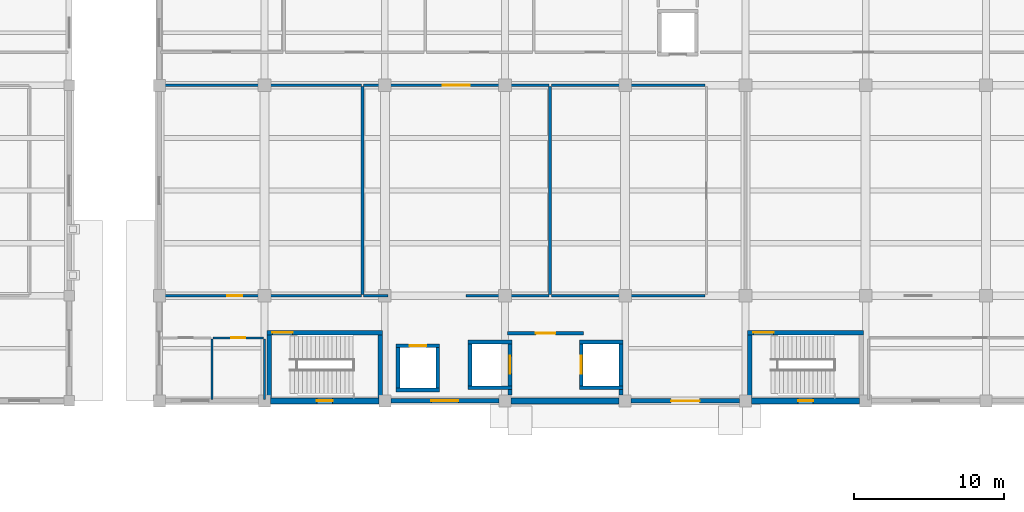
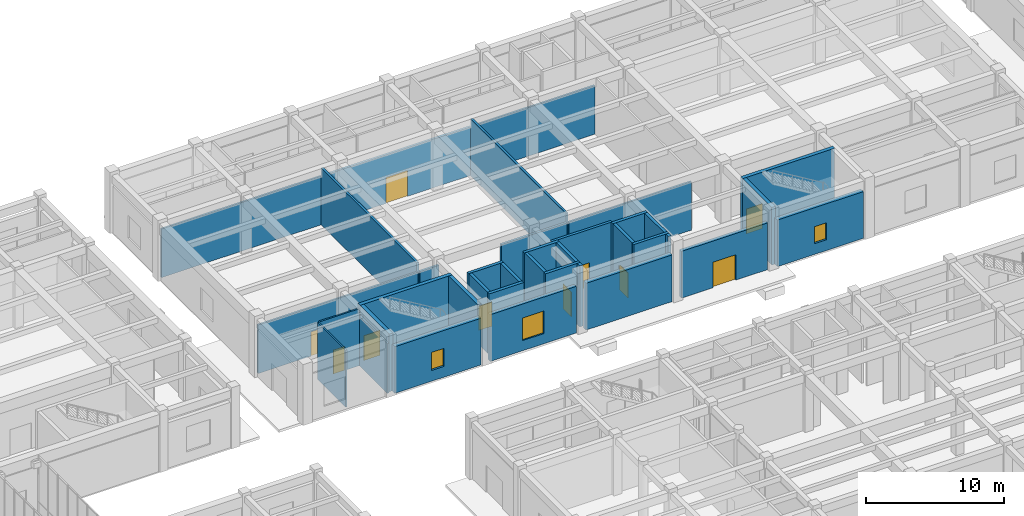
# One storey, part 23 of 40: 35 walls, 10 doors, 3 windows, 13 openings.
"""IFC4 building model written with IfcOpenShell, lengths in metres."""

from ifc_helpers import new_model, si_unit, direction, frame, frame_2d, origin, place, context, subcontext, project, spatial, rectangle, extrude, material, layer, layer_set, type_object, element, fill, save


model = new_model("IFC4")

# Units and contexts
model_context = context("Model", 3, precision=1e-05, world=origin(), true_north=direction((0.0, 1.0)))
body_context = subcontext(model_context, "Body", "Model", "MODEL_VIEW")
ifc_project = project(units=[si_unit("LENGTHUNIT", "METRE"), si_unit("AREAUNIT", "SQUARE_METRE"), si_unit("VOLUMEUNIT", "CUBIC_METRE"), si_unit("PLANEANGLEUNIT", "RADIAN"), si_unit("MASSUNIT", "GRAM", prefix="KILO")], contexts=[model_context])

# Site, building, storey
site_placement = place(None, origin())
site = spatial("IfcSite", under=ifc_project, at=site_placement, CompositionType="ELEMENT")
building_placement = place(site_placement, origin())
building = spatial("IfcBuilding", under=site, at=building_placement, Name="Naurynzar Civic Courthouse", CompositionType="ELEMENT")
storey_placement = place(building_placement, origin())
storey = spatial("IfcBuildingStorey", under=building, at=storey_placement, Name="L01", CompositionType="ELEMENT", Elevation=0.0)

# Walls
ifc_material_1 = material(Name="Acoustic Double-Stud Gypsum Partition")
ifc_layer_1 = layer(ifc_material_1, 0.18505859375)
ifc_layer_set_1 = layer_set([ifc_layer_1], Name="WL-ACOUSTIC-185")
wall_type_1 = type_object("IfcWallType", Name="WL-ACOUSTIC-185", PredefinedType="PARTITIONING", material=ifc_layer_set_1)
wall_1_placement = place(storey_placement, frame((75.60009765625, 51.0, 0.0), z_axis=(0.0, 0.0, 1.0), x_axis=(1.0, 0.0, 0.0)))
element("IfcWall", 1, at=wall_1_placement, inside=storey, type_object=wall_type_1, Name="V2 interior partition L01.108", PredefinedType="PARTITIONING", context=body_context, shape_type="SweptSolid", body=[
    extrude(rectangle(XDim=1.599853515625, YDim=0.18505859375, at=frame_2d((0.7998046875, 0.0))), origin(), (0.0, 0.0, 1.0), 4.300048828125),
])
wall_2_placement = place(storey_placement, frame((82.39990234375, 51.0, 0.0), z_axis=(0.0, 0.0, 1.0), x_axis=(1.0, 0.0, 0.0)))
element("IfcWall", 2, at=wall_2_placement, inside=storey, type_object=wall_type_1, Name="V2 interior partition L01.109", PredefinedType="PARTITIONING", context=body_context, shape_type="SweptSolid", body=[
    extrude(rectangle(XDim=5.52001953125, YDim=0.18505859375, at=frame_2d((2.760009765625, 0.0))), origin(), (0.0, 0.0, 1.0), 4.300048828125),
])

# Wall, opening, door
wall_3_placement = place(storey_placement, frame((75.60009765625, 65.0, 0.0), z_axis=(0.0, 0.0, 1.0), x_axis=(1.0, 0.0, 0.0)))
wall_3 = element("IfcWall", 3, at=wall_3_placement, inside=storey, type_object=wall_type_1, Name="V2 interior partition L01.117", PredefinedType="PARTITIONING", context=body_context, shape_type="SweptSolid", body=[
    extrude(rectangle(XDim=12.31982421875, YDim=0.18505859375, at=frame_2d((6.159912109375, 0.0))), origin(), (0.0, 0.0, 1.0), 4.300048828125),
])
opening_1_placement = place(wall_3_placement, frame((5.260009765625, 0.0, 0.0)))
opening_1 = element("IfcOpeningElement", 4, at=opening_1_placement, cuts=wall_3, Name="Opening D-105", PredefinedType="OPENING", context=body_context, shape_type="SweptSolid", body=[
    extrude(rectangle(XDim=1.800048828125, YDim=2.300048828125, at=frame_2d((0.89990234375, 1.14990234375))), frame((0.0, 0.1025390625, 0.0), z_axis=(0.0, -1.0, 0.0), x_axis=(1.0, 0.0, 0.0)), (0.0, 0.0, 1.0), 0.205078125),
])
ifc_material_2 = material(Name="Acoustic Oak Timber Grade A", Category="wood")
door_type_1 = type_object("IfcDoorType", Name="DR-COURT-DBL-1800x2300", OperationType="DOUBLE_DOOR_SINGLE_SWING", PredefinedType="DOOR", material=ifc_material_2)
door_1_placement = place(opening_1_placement, origin())
door_1 = element("IfcDoor", 5, at=door_1_placement, inside=storey, type_object=door_type_1, Name="Interior door D-105 (Civil Intake Courtroom)", OperationType="DOUBLE_DOOR_SINGLE_SWING", OverallHeight=2.300048828125, OverallWidth=1.800048828125, PredefinedType="DOOR", context=body_context, shape_type="SweptSolid", body=[
    extrude(rectangle(XDim=1.800048828125, YDim=2.300048828125, at=frame_2d((0.89990234375, 1.14990234375))), frame((0.0, 0.02490234375, 0.0), z_axis=(0.0, -1.0, 0.0), x_axis=(1.0, 0.0, 0.0)), (0.0, 0.0, 1.0), 0.050048828125),
])
fill(opening_1, door_1)

# Walls
for number, where, z_axis, x_axis, name in (
    (6, (75.52001953125, 51.080078125, 0.0), (0.0, 0.0, 1.0), (0.0, 1.0, 0.0), "V2 interior partition L01.154"),
    (7, (88.0, 51.080078125, 0.0), (0.0, 0.0, 1.0), (0.0, 1.0, 0.0), "V2 interior partition L01.161"),
):
    element("IfcWall", number, at=place(storey_placement, frame(where, z_axis=z_axis, x_axis=x_axis)), inside=storey, type_object=wall_type_1, Name=name, PredefinedType="PARTITIONING", context=body_context, shape_type="SweptSolid", body=[
        extrude(rectangle(XDim=13.83984375, YDim=0.18505859375, at=frame_2d((6.919921875, 0.0))), origin(), (0.0, 0.0, 1.0), 5.0400390625),
    ])

# Wall, opening, door
ifc_material_3 = material(Name="Concrete C40/50", Category="concrete")
ifc_layer_2 = layer(ifc_material_3, 0.300048828125)
ifc_layer_set_2 = layer_set([ifc_layer_2], Name="WL-CORE-300")
wall_type_2 = type_object("IfcWallType", Name="WL-CORE-300", PredefinedType="SHEAR", material=ifc_layer_set_2)
wall_4_placement = place(storey_placement, frame((69.14990234375, 48.550048828125, 0.0), z_axis=(0.0, 0.0, 1.0), x_axis=(1.0, 0.0, 0.0)))
wall_4 = element("IfcWall", 8, at=wall_4_placement, inside=storey, type_object=wall_type_2, Name="Stair ST-V2A enclosure wall north L01", PredefinedType="SHEAR", context=body_context, shape_type="SweptSolid", body=[
    extrude(rectangle(XDim=7.7001953125, YDim=0.300048828125, at=frame_2d((3.85009765625, 0.0))), origin(), (0.0, 0.0, 1.0), 5.10009765625),
])
opening_2_placement = place(wall_4_placement, frame((0.375, 0.0, 0.0)))
opening_2 = element("IfcOpeningElement", 9, at=opening_2_placement, cuts=wall_4, Name="Opening SD-024", PredefinedType="OPENING", context=body_context, shape_type="SweptSolid", body=[
    extrude(rectangle(XDim=1.35009765625, YDim=2.199951171875, at=frame_2d((0.675048828125, 1.10009765625))), frame((0.0, 0.159912109375, 0.0), z_axis=(0.0, -1.0, 0.0), x_axis=(1.0, 0.0, 0.0)), (0.0, 0.0, 1.0), 0.320068359375),
])
ifc_material_4 = material(Name="Powder-Coated Galvanised Steel", Category="steel")
door_type_2 = type_object("IfcDoorType", Name="DR-STAIR-1350x2200", OperationType="NOTDEFINED", PredefinedType="DOOR", material=ifc_material_4)
door_2_placement = place(opening_2_placement, origin())
door_2 = element("IfcDoor", 10, at=door_2_placement, inside=storey, type_object=door_type_2, Name="Stair ST-V2A fire door L01", OperationType="SINGLE_SWING_RIGHT", OverallHeight=2.199951171875, OverallWidth=1.35009765625, PredefinedType="DOOR", context=body_context, shape_type="SweptSolid", body=[
    extrude(rectangle(XDim=1.35009765625, YDim=2.199951171875, at=frame_2d((0.675048828125, 1.10009765625))), frame((0.0, 0.02490234375, 0.0), z_axis=(0.0, -1.0, 0.0), x_axis=(1.0, 0.0, 0.0)), (0.0, 0.0, 1.0), 0.050048828125),
])
fill(opening_2, door_2)

# Walls
for number, where, z_axis, x_axis, name in (
    (11, (69.300048828125, 48.39501953125, 0.0), (0.0, 0.0, 1.0), (0.0, -1.0, 0.0), "Stair ST-V2A enclosure wall west L01"),
    (12, (76.699951171875, 44.195068359375, 0.0), (0.0, 0.0, 1.0), (0.0, 1.0, 0.0), "Stair ST-V2A enclosure wall east L01"),
):
    element("IfcWall", number, at=place(storey_placement, frame(where, z_axis=z_axis, x_axis=x_axis)), inside=storey, type_object=wall_type_2, Name=name, PredefinedType="SHEAR", context=body_context, shape_type="SweptSolid", body=[
        extrude(rectangle(XDim=4.199951171875, YDim=0.300048828125, at=frame_2d((2.10009765625, 0.0))), origin(), (0.0, 0.0, 1.0), 5.10009765625),
    ])

# Wall, opening, door
wall_5_placement = place(storey_placement, frame((101.14990234375, 48.550048828125, 0.0), z_axis=(0.0, 0.0, 1.0), x_axis=(1.0, 0.0, 0.0)))
wall_5 = element("IfcWall", 13, at=wall_5_placement, inside=storey, type_object=wall_type_2, Name="Stair ST-V2B enclosure wall north L01", PredefinedType="SHEAR", context=body_context, shape_type="SweptSolid", body=[
    extrude(rectangle(XDim=7.7001953125, YDim=0.300048828125, at=frame_2d((3.85009765625, 0.0))), origin(), (0.0, 0.0, 1.0), 5.10009765625),
])
opening_3_placement = place(wall_5_placement, frame((0.375, 0.0, 0.0)))
opening_3 = element("IfcOpeningElement", 14, at=opening_3_placement, cuts=wall_5, Name="Opening SD-035", PredefinedType="OPENING", context=body_context, shape_type="SweptSolid", body=[
    extrude(rectangle(XDim=1.35009765625, YDim=2.199951171875, at=frame_2d((0.675048828125, 1.10009765625))), frame((0.0, 0.159912109375, 0.0), z_axis=(0.0, -1.0, 0.0), x_axis=(1.0, 0.0, 0.0)), (0.0, 0.0, 1.0), 0.320068359375),
])
door_3_placement = place(opening_3_placement, origin())
door_3 = element("IfcDoor", 15, at=door_3_placement, inside=storey, type_object=door_type_2, Name="Stair ST-V2B fire door L01", OperationType="SINGLE_SWING_LEFT", OverallHeight=2.199951171875, OverallWidth=1.35009765625, PredefinedType="DOOR", context=body_context, shape_type="SweptSolid", body=[
    extrude(rectangle(XDim=1.35009765625, YDim=2.199951171875, at=frame_2d((0.675048828125, 1.10009765625))), frame((0.0, 0.02490234375, 0.0), z_axis=(0.0, -1.0, 0.0), x_axis=(1.0, 0.0, 0.0)), (0.0, 0.0, 1.0), 0.050048828125),
])
fill(opening_3, door_3)

# Wall
wall_6_placement = place(storey_placement, frame((101.300048828125, 48.39501953125, 0.0), z_axis=(0.0, 0.0, 1.0), x_axis=(0.0, -1.0, 0.0)))
element("IfcWall", 16, at=wall_6_placement, inside=storey, type_object=wall_type_2, Name="Stair ST-V2B enclosure wall west L01", PredefinedType="SHEAR", context=body_context, shape_type="SweptSolid", body=[
    extrude(rectangle(XDim=4.199951171875, YDim=0.300048828125, at=frame_2d((2.10009765625, 0.0))), origin(), (0.0, 0.0, 1.0), 5.10009765625),
])

# Wall, opening, door
ifc_material_5 = material(Name="Precast concrete C40/50", Category="concrete")
ifc_layer_3 = layer(ifc_material_5, 0.300048828125)
ifc_layer_set_3 = layer_set([ifc_layer_3], Name="WL-EXT-300")
wall_type_3 = type_object("IfcWallType", Name="WL-EXT-300", PredefinedType="SOLIDWALL", material=ifc_layer_set_3)
wall_7_placement = place(storey_placement, frame((100.60009765625, 44.0, 0.0), z_axis=(0.0, 0.0, 1.0), x_axis=(-1.0, 0.0, 0.0)))
wall_7 = element("IfcWall", 17, at=wall_7_placement, inside=storey, type_object=wall_type_3, Name="V2 exterior wall south L01.4.1", PredefinedType="SOLIDWALL", context=body_context, shape_type="SweptSolid", body=[
    extrude(rectangle(XDim=7.2001953125, YDim=0.300048828125, at=frame_2d((3.60009765625, 0.0))), origin(), (0.0, 0.0, 1.0), 4.1298828125),
])
opening_4_placement = place(wall_7_placement, frame((2.64990234375, 0.0, 0.0)))
opening_4 = element("IfcOpeningElement", 18, at=opening_4_placement, cuts=wall_7, Name="Opening ED-12", PredefinedType="OPENING", context=body_context, shape_type="SweptSolid", body=[
    extrude(rectangle(XDim=1.89990234375, YDim=2.25, at=frame_2d((0.949951171875, 1.125))), frame((0.0, 0.159912109375, 0.0), z_axis=(0.0, -1.0, 0.0), x_axis=(1.0, 0.0, 0.0)), (0.0, 0.0, 1.0), 0.320068359375),
])
ifc_material_6 = material(Name="Aluminium 6063-T6", Category="aluminium")
door_type_3 = type_object("IfcDoorType", Name="DR-EXT-1900x2250", OperationType="DOUBLE_DOOR_SINGLE_SWING", PredefinedType="DOOR", material=ifc_material_6)
door_4_placement = place(opening_4_placement, origin())
door_4 = element("IfcDoor", 19, at=door_4_placement, inside=storey, type_object=door_type_3, Name="Ground final exit door ED-12", OperationType="DOUBLE_DOOR_SINGLE_SWING", OverallHeight=2.25, OverallWidth=1.89990234375, PredefinedType="DOOR", context=body_context, shape_type="SweptSolid", body=[
    extrude(rectangle(XDim=1.89990234375, YDim=2.25, at=frame_2d((0.949951171875, 1.125))), frame((0.0, 0.02490234375, 0.0), z_axis=(0.0, -1.0, 0.0), x_axis=(1.0, 0.0, 0.0)), (0.0, 0.0, 1.0), 0.050048828125),
])
fill(opening_4, door_4)

# Wall, opening, window
wall_8_placement = place(storey_placement, frame((84.60009765625, 44.0, 0.0), z_axis=(0.0, 0.0, 1.0), x_axis=(-1.0, 0.0, 0.0)))
wall_8 = element("IfcWall", 20, at=wall_8_placement, inside=storey, type_object=wall_type_3, Name="V2 exterior wall south L01.6.1", PredefinedType="SOLIDWALL", context=body_context, shape_type="SweptSolid", body=[
    extrude(rectangle(XDim=7.2001953125, YDim=0.300048828125, at=frame_2d((3.60009765625, 0.0))), origin(), (0.0, 0.0, 1.0), 4.1298828125),
])
opening_5_placement = place(wall_8_placement, frame((2.699951171875, 0.0, 0.89990234375)))
opening_5 = element("IfcOpeningElement", 21, at=opening_5_placement, cuts=wall_8, Name="Opening WN-03", PredefinedType="OPENING", context=body_context, shape_type="SweptSolid", body=[
    extrude(rectangle(XDim=1.800048828125, YDim=2.0, at=frame_2d((0.89990234375, 1.0))), frame((0.0, 0.159912109375, 0.0), z_axis=(0.0, -1.0, 0.0), x_axis=(1.0, 0.0, 0.0)), (0.0, 0.0, 1.0), 0.320068359375),
])
ifc_material_7 = material(Name="Tempered Laminated Low-E Glass", Category="glass")
window_type_1 = type_object("IfcWindowType", Name="WIN-COURT-1800x2000", PartitioningType="DOUBLE_PANEL_VERTICAL", PredefinedType="WINDOW", material=ifc_material_7)
window_1_placement = place(opening_5_placement, origin())
window_1 = element("IfcWindow", 22, at=window_1_placement, inside=storey, type_object=window_type_1, Name="V2 window 49 L01", OverallHeight=2.0, OverallWidth=1.800048828125, PartitioningType="SINGLE_PANEL", PredefinedType="WINDOW", context=body_context, shape_type="SweptSolid", body=[
    extrude(rectangle(XDim=1.800048828125, YDim=2.0, at=frame_2d((0.89990234375, 1.0))), frame((0.0, 0.030029296875, 0.0), z_axis=(0.0, -1.0, 0.0), x_axis=(1.0, 0.0, 0.0)), (0.0, 0.0, 1.0), 0.06005859375),
])
fill(opening_5, window_1)

# Wall, opening, door
ifc_material_8 = material(Name="Concrete C35/45", Category="concrete")
ifc_layer_4 = layer(ifc_material_8, 0.219970703125)
ifc_layer_set_4 = layer_set([ifc_layer_4], Name="WL-FFL-220")
wall_type_4 = type_object("IfcWallType", Name="WL-FFL-220", PredefinedType="SOLIDWALL", material=ifc_layer_set_4)
wall_9_placement = place(storey_placement, frame((85.179931640625, 48.510009765625, 0.0), z_axis=(0.0, 0.0, 1.0), x_axis=(1.0, 0.0, 0.0)))
wall_9 = element("IfcWall", 23, at=wall_9_placement, inside=storey, type_object=wall_type_4, Name="Firefighting lift lobby EI 120 wall CORE-V2 L01 north", PredefinedType="SOLIDWALL", context=body_context, shape_type="SweptSolid", body=[
    extrude(rectangle(XDim=5.0400390625, YDim=0.219970703125, at=frame_2d((2.52001953125, 0.0))), origin(), (0.0, 0.0, 1.0), 5.10009765625),
])
opening_6_placement = place(wall_9_placement, frame((1.8701171875, 0.0, 0.0)))
opening_6 = element("IfcOpeningElement", 24, at=opening_6_placement, cuts=wall_9, Name="Opening FD-02", PredefinedType="OPENING", context=body_context, shape_type="SweptSolid", body=[
    extrude(rectangle(XDim=1.300048828125, YDim=2.14990234375, at=frame_2d((0.64990234375, 1.074951171875))), frame((0.0, 0.119873046875, 0.0), z_axis=(0.0, -1.0, 0.0), x_axis=(1.0, 0.0, 0.0)), (0.0, 0.0, 1.0), 0.239990234375),
])
ifc_material_9 = material(Name="Powder-Coated Galvanised Steel", Category="steel")
door_type_4 = type_object("IfcDoorType", Name="DR-FFL-1300x2150", OperationType="NOTDEFINED", PredefinedType="DOOR", material=ifc_material_9)
door_5_placement = place(opening_6_placement, origin())
door_5 = element("IfcDoor", 25, at=door_5_placement, inside=storey, type_object=door_type_4, Name="Firefighting lift lobby door FD-02", OperationType="SINGLE_SWING_RIGHT", OverallHeight=2.14990234375, OverallWidth=1.300048828125, PredefinedType="DOOR", context=body_context, shape_type="SweptSolid", body=[
    extrude(rectangle(XDim=1.300048828125, YDim=2.14990234375, at=frame_2d((0.64990234375, 1.074951171875))), frame((0.0, 0.02490234375, 0.0), z_axis=(0.0, -1.0, 0.0), x_axis=(1.0, 0.0, 0.0)), (0.0, 0.0, 1.0), 0.050048828125),
])
fill(opening_6, door_5)

ifc_material_10 = material(Name="Fire-Rated Corridor Gypsum Partition")
ifc_layer_5 = layer(ifc_material_10, 0.14990234375)
ifc_layer_set_5 = layer_set([ifc_layer_5], Name="WL-PART-CORR-150")
wall_type_5 = type_object("IfcWallType", Name="WL-PART-CORR-150", PredefinedType="PARTITIONING", material=ifc_layer_set_5)
wall_10_placement = place(storey_placement, frame((62.080078125, 51.0, 0.0), z_axis=(0.0, 0.0, 1.0), x_axis=(1.0, 0.0, 0.0)))
wall_10 = element("IfcWall", 26, at=wall_10_placement, inside=storey, type_object=wall_type_5, Name="V2 interior partition L01.107", PredefinedType="PARTITIONING", context=body_context, shape_type="SweptSolid", body=[
    extrude(rectangle(XDim=13.35986328125, YDim=0.14990234375, at=frame_2d((6.679931640625, 0.0))), origin(), (0.0, 0.0, 1.0), 4.300048828125),
])
opening_7_placement = place(wall_10_placement, frame((4.424072265625, 0.0, 0.0)))
opening_7 = element("IfcOpeningElement", 27, at=opening_7_placement, cuts=wall_10, Name="Opening D-104", PredefinedType="OPENING", context=body_context, shape_type="SweptSolid", body=[
    extrude(rectangle(XDim=1.02001953125, YDim=2.14990234375, at=frame_2d((0.510009765625, 1.074951171875))), frame((0.0, 0.0849609375, 0.0), z_axis=(0.0, -1.0, 0.0), x_axis=(1.0, 0.0, 0.0)), (0.0, 0.0, 1.0), 0.169921875),
])
ifc_material_11 = material(Name="Acoustic Oak Timber Grade A", Category="wood")
door_type_5 = type_object("IfcDoorType", Name="DR-SUITE-1020x2150", OperationType="NOTDEFINED", PredefinedType="DOOR", material=ifc_material_11)
door_6_placement = place(opening_7_placement, origin())
door_6 = element("IfcDoor", 28, at=door_6_placement, inside=storey, type_object=door_type_5, Name="Interior door D-104 (Public Civil Filing Hall)", OperationType="SINGLE_SWING_RIGHT", OverallHeight=2.14990234375, OverallWidth=1.02001953125, PredefinedType="DOOR", context=body_context, shape_type="SweptSolid", body=[
    extrude(rectangle(XDim=1.02001953125, YDim=2.14990234375, at=frame_2d((0.510009765625, 1.074951171875))), frame((0.0, 0.02490234375, 0.0), z_axis=(0.0, -1.0, 0.0), x_axis=(1.0, 0.0, 0.0)), (0.0, 0.0, 1.0), 0.050048828125),
])
fill(opening_7, door_6)

# Walls
wall_11_placement = place(storey_placement, frame((88.080078125, 51.0, 0.0), z_axis=(0.0, 0.0, 1.0), x_axis=(1.0, 0.0, 0.0)))
element("IfcWall", 29, at=wall_11_placement, inside=storey, type_object=wall_type_5, Name="V2 interior partition L01.110", PredefinedType="PARTITIONING", context=body_context, shape_type="SweptSolid", body=[
    extrude(rectangle(XDim=10.239990234375, YDim=0.14990234375, at=frame_2d((5.1201171875, 0.0))), origin(), (0.0, 0.0, 1.0), 4.300048828125),
])
wall_12_placement = place(storey_placement, frame((62.080078125, 65.0, 0.0), z_axis=(0.0, 0.0, 1.0), x_axis=(1.0, 0.0, 0.0)))
element("IfcWall", 30, at=wall_12_placement, inside=storey, type_object=wall_type_5, Name="V2 interior partition L01.116", PredefinedType="PARTITIONING", context=body_context, shape_type="SweptSolid", body=[
    extrude(rectangle(XDim=13.35986328125, YDim=0.14990234375, at=frame_2d((6.679931640625, 0.0))), origin(), (0.0, 0.0, 1.0), 4.300048828125),
])
wall_13_placement = place(storey_placement, frame((88.080078125, 65.0, 0.0), z_axis=(0.0, 0.0, 1.0), x_axis=(1.0, 0.0, 0.0)))
element("IfcWall", 31, at=wall_13_placement, inside=storey, type_object=wall_type_5, Name="V2 interior partition L01.118", PredefinedType="PARTITIONING", context=body_context, shape_type="SweptSolid", body=[
    extrude(rectangle(XDim=10.239990234375, YDim=0.14990234375, at=frame_2d((5.1201171875, 0.0))), origin(), (0.0, 0.0, 1.0), 4.300048828125),
])

# Wall, opening, door
ifc_material_12 = material(Name="Moisture-Resistant Plumbing Partition")
ifc_layer_6 = layer(ifc_material_12, 0.139892578125)
ifc_layer_set_6 = layer_set([ifc_layer_6], Name="WL-PART-WC-140")
wall_type_6 = type_object("IfcWallType", Name="WL-PART-WC-140", PredefinedType="PLUMBINGWALL", material=ifc_layer_set_6)
wall_14_placement = place(storey_placement, frame((65.580078125, 48.199951171875, 0.0), z_axis=(0.0, 0.0, 1.0), x_axis=(1.0, 0.0, 0.0)))
wall_14 = element("IfcWall", 32, at=wall_14_placement, inside=storey, type_object=wall_type_6, Name="V2 interior partition L01.101", PredefinedType="PLUMBINGWALL", context=body_context, shape_type="SweptSolid", body=[
    extrude(rectangle(XDim=3.33984375, YDim=0.139892578125, at=frame_2d((1.669921875, 0.0))), origin(), (0.0, 0.0, 1.0), 5.0400390625),
])
opening_8_placement = place(wall_14_placement, frame((1.18994140625, 0.0, 0.0)))
opening_8 = element("IfcOpeningElement", 33, at=opening_8_placement, cuts=wall_14, Name="Opening D-102", PredefinedType="OPENING", context=body_context, shape_type="SweptSolid", body=[
    extrude(rectangle(XDim=0.9599609375, YDim=2.10009765625, at=frame_2d((0.47998046875, 1.050048828125))), frame((0.0, 0.079833984375, 0.0), z_axis=(0.0, -1.0, 0.0), x_axis=(1.0, 0.0, 0.0)), (0.0, 0.0, 1.0), 0.159912109375),
])
ifc_material_13 = material(Name="Acoustic Oak Timber Grade A", Category="wood")
door_type_6 = type_object("IfcDoorType", Name="DR-WC-ACC-960x2100", OperationType="NOTDEFINED", PredefinedType="DOOR", material=ifc_material_13)
door_7_placement = place(opening_8_placement, origin())
door_7 = element("IfcDoor", 34, at=door_7_placement, inside=storey, type_object=door_type_6, Name="Interior door D-102 (Accessible WC V2)", OperationType="SINGLE_SWING_RIGHT", OverallHeight=2.10009765625, OverallWidth=0.9599609375, PredefinedType="DOOR", context=body_context, shape_type="SweptSolid", body=[
    extrude(rectangle(XDim=0.9599609375, YDim=2.10009765625, at=frame_2d((0.47998046875, 1.050048828125))), frame((0.0, 0.02490234375, 0.0), z_axis=(0.0, -1.0, 0.0), x_axis=(1.0, 0.0, 0.0)), (0.0, 0.0, 1.0), 0.050048828125),
])
fill(opening_8, door_7)

# Walls
wall_15_placement = place(storey_placement, frame((65.5, 44.080078125, 0.0), z_axis=(0.0, 0.0, 1.0), x_axis=(0.0, 1.0, 0.0)))
element("IfcWall", 35, at=wall_15_placement, inside=storey, type_object=wall_type_6, Name="V2 interior partition L01.151", PredefinedType="PLUMBINGWALL", context=body_context, shape_type="SweptSolid", body=[
    extrude(rectangle(XDim=4.0400390625, YDim=0.139892578125, at=frame_2d((2.02001953125, 0.0))), origin(), (0.0, 0.0, 1.0), 5.0400390625),
])
wall_16_placement = place(storey_placement, frame((69.0, 44.080078125, 0.0), z_axis=(0.0, 0.0, 1.0), x_axis=(0.0, 1.0, 0.0)))
element("IfcWall", 36, at=wall_16_placement, inside=storey, type_object=wall_type_6, Name="V2 interior partition L01.152", PredefinedType="PLUMBINGWALL", context=body_context, shape_type="SweptSolid", body=[
    extrude(rectangle(XDim=4.0400390625, YDim=0.139892578125, at=frame_2d((2.02001953125, 0.0))), origin(), (0.0, 0.0, 1.0), 4.39990234375),
])

# Wall, opening, window
ifc_material_14 = material(Name="Concrete C40/50", Category="concrete")
ifc_layer_7 = layer(ifc_material_14, 0.3798828125)
ifc_layer_set_7 = layer_set([ifc_layer_7], Name="WL-RET-380")
wall_type_7 = type_object("IfcWallType", Name="WL-RET-380", PredefinedType="STANDARD", material=ifc_layer_set_7)
wall_17_placement = place(storey_placement, frame((108.60009765625, 44.0, 0.0), z_axis=(0.0, 0.0, 1.0), x_axis=(-1.0, 0.0, 0.0)))
wall_17 = element("IfcWall", 37, at=wall_17_placement, inside=storey, type_object=wall_type_7, Name="V2 exterior wall south L01.3.1", PredefinedType="STANDARD", context=body_context, shape_type="SweptSolid", body=[
    extrude(rectangle(XDim=7.2001953125, YDim=0.3798828125, at=frame_2d((3.60009765625, 0.0))), origin(), (0.0, 0.0, 1.0), 4.1298828125),
])
opening_9_placement = place(wall_17_placement, frame((3.10009765625, 0.0, 0.949951171875)))
opening_9 = element("IfcOpeningElement", 38, at=opening_9_placement, cuts=wall_17, Name="Opening WM-04", PredefinedType="OPENING", context=body_context, shape_type="SweptSolid", body=[
    extrude(rectangle(XDim=1.0, YDim=1.5, at=frame_2d((0.5, 0.75))), frame((0.0, 0.199951171875, 0.0), z_axis=(0.0, -1.0, 0.0), x_axis=(1.0, 0.0, 0.0)), (0.0, 0.0, 1.0), 0.39990234375),
])
ifc_material_15 = material(Name="Tempered Laminated Low-E Glass", Category="glass")
window_type_2 = type_object("IfcWindowType", Name="WIN-MOD-1000x1500", PartitioningType="SINGLE_PANEL", PredefinedType="WINDOW", material=ifc_material_15)
window_2_placement = place(opening_9_placement, origin())
window_2 = element("IfcWindow", 39, at=window_2_placement, inside=storey, type_object=window_type_2, Name="Modular glazed window 4", OverallHeight=1.5, OverallWidth=1.0, PartitioningType="SINGLE_PANEL", PredefinedType="WINDOW", context=body_context, shape_type="SweptSolid", body=[
    extrude(rectangle(XDim=1.0, YDim=1.5, at=frame_2d((0.5, 0.75))), frame((0.0, 0.030029296875, 0.0), z_axis=(0.0, -1.0, 0.0), x_axis=(1.0, 0.0, 0.0)), (0.0, 0.0, 1.0), 0.06005859375),
])
fill(opening_9, window_2)

# Wall
wall_18_placement = place(storey_placement, frame((92.60009765625, 44.0, 0.0), z_axis=(0.0, 0.0, 1.0), x_axis=(-1.0, 0.0, 0.0)))
element("IfcWall", 40, at=wall_18_placement, inside=storey, type_object=wall_type_7, Name="V2 exterior wall south L01.5.1", PredefinedType="STANDARD", context=body_context, shape_type="SweptSolid", body=[
    extrude(rectangle(XDim=7.2001953125, YDim=0.3798828125, at=frame_2d((3.60009765625, 0.0))), origin(), (0.0, 0.0, 1.0), 4.1298828125),
])

# Wall, opening, window
wall_19_placement = place(storey_placement, frame((76.60009765625, 44.0, 0.0), z_axis=(0.0, 0.0, 1.0), x_axis=(-1.0, 0.0, 0.0)))
wall_19 = element("IfcWall", 41, at=wall_19_placement, inside=storey, type_object=wall_type_7, Name="V2 exterior wall south L01.7.1", PredefinedType="STANDARD", context=body_context, shape_type="SweptSolid", body=[
    extrude(rectangle(XDim=7.2001953125, YDim=0.3798828125, at=frame_2d((3.60009765625, 0.0))), origin(), (0.0, 0.0, 1.0), 4.1298828125),
])
opening_10_placement = place(wall_19_placement, frame((3.074951171875, 0.0, 0.949951171875)))
opening_10 = element("IfcOpeningElement", 42, at=opening_10_placement, cuts=wall_19, Name="Opening WM-05", PredefinedType="OPENING", context=body_context, shape_type="SweptSolid", body=[
    extrude(rectangle(XDim=1.050048828125, YDim=1.60009765625, at=frame_2d((0.52490234375, 0.800048828125))), frame((0.0, 0.199951171875, 0.0), z_axis=(0.0, -1.0, 0.0), x_axis=(1.0, 0.0, 0.0)), (0.0, 0.0, 1.0), 0.39990234375),
])
ifc_material_16 = material(Name="Tempered Laminated Low-E Glass", Category="glass")
window_type_3 = type_object("IfcWindowType", Name="WIN-MOD-1050x1600", PartitioningType="SINGLE_PANEL", PredefinedType="WINDOW", material=ifc_material_16)
window_3_placement = place(opening_10_placement, origin())
window_3 = element("IfcWindow", 43, at=window_3_placement, inside=storey, type_object=window_type_3, Name="Modular glazed window 5", OverallHeight=1.60009765625, OverallWidth=1.050048828125, PartitioningType="SINGLE_PANEL", PredefinedType="WINDOW", context=body_context, shape_type="SweptSolid", body=[
    extrude(rectangle(XDim=1.050048828125, YDim=1.60009765625, at=frame_2d((0.52490234375, 0.800048828125))), frame((0.0, 0.030029296875, 0.0), z_axis=(0.0, -1.0, 0.0), x_axis=(1.0, 0.0, 0.0)), (0.0, 0.0, 1.0), 0.06005859375),
])
fill(opening_10, window_3)

# Wall
ifc_material_17 = material(Name="Concrete C40/50", Category="concrete")
ifc_layer_8 = layer(ifc_material_17, 0.25)
ifc_layer_set_8 = layer_set([ifc_layer_8], Name="WL-SHAFT-250")
wall_type_8 = type_object("IfcWallType", Name="WL-SHAFT-250", PredefinedType="SHEAR", material=ifc_layer_set_8)
wall_20_placement = place(storey_placement, frame((77.75, 44.72509765625, 0.0), z_axis=(0.0, 0.0, 1.0), x_axis=(1.0, 0.0, 0.0)))
element("IfcWall", 44, at=wall_20_placement, inside=storey, type_object=wall_type_8, Name="Lift LP-03 shaft wall south L01", PredefinedType="SHEAR", context=body_context, shape_type="SweptSolid", body=[
    extrude(rectangle(XDim=2.89990234375, YDim=0.25, at=frame_2d((1.449951171875, 0.0))), origin(), (0.0, 0.0, 1.0), 5.39990234375),
])

# Wall, opening, door
wall_21_placement = place(storey_placement, frame((80.64990234375, 47.675048828125, 0.0), z_axis=(0.0, 0.0, 1.0), x_axis=(-1.0, 0.0, 0.0)))
wall_21 = element("IfcWall", 45, at=wall_21_placement, inside=storey, type_object=wall_type_8, Name="Lift LP-03 shaft wall north L01", PredefinedType="SHEAR", context=body_context, shape_type="SweptSolid", body=[
    extrude(rectangle(XDim=2.89990234375, YDim=0.25, at=frame_2d((1.449951171875, 0.0))), origin(), (0.0, 0.0, 1.0), 5.39990234375),
])
opening_11_placement = place(wall_21_placement, frame((0.89990234375, 0.0, 0.0)))
opening_11 = element("IfcOpeningElement", 46, at=opening_11_placement, cuts=wall_21, Name="Opening LD-018", PredefinedType="OPENING", context=body_context, shape_type="SweptSolid", body=[
    extrude(rectangle(XDim=1.10009765625, YDim=2.14990234375, at=frame_2d((0.550048828125, 1.074951171875))), frame((0.0, 0.135009765625, 0.0), z_axis=(0.0, -1.0, 0.0), x_axis=(1.0, 0.0, 0.0)), (0.0, 0.0, 1.0), 0.27001953125),
])
ifc_material_18 = material(Name="Brushed Stainless Steel 304", Category="steel")
door_type_7 = type_object("IfcDoorType", Name="DR-LIFT-SLIDE-1100x2150", OperationType="DOUBLE_DOOR_SLIDING", PredefinedType="DOOR", material=ifc_material_18)
door_8_placement = place(opening_11_placement, origin())
door_8 = element("IfcDoor", 47, at=door_8_placement, inside=storey, type_object=door_type_7, Name="Lift LP-03 sliding landing door L01", OperationType="DOUBLE_DOOR_SLIDING", OverallHeight=2.14990234375, OverallWidth=1.10009765625, PredefinedType="DOOR", context=body_context, shape_type="SweptSolid", body=[
    extrude(rectangle(XDim=1.10009765625, YDim=2.14990234375, at=frame_2d((0.550048828125, 1.074951171875))), frame((0.0, 0.02490234375, 0.0), z_axis=(0.0, -1.0, 0.0), x_axis=(1.0, 0.0, 0.0)), (0.0, 0.0, 1.0), 0.050048828125),
])
fill(opening_11, door_8)

# Walls
for number, where, z_axis, x_axis, name in (
    (48, (77.875, 47.544921875, 0.0), (0.0, 0.0, 1.0), (0.0, -1.0, 0.0), "Lift LP-03 shaft wall west L01"),
    (49, (80.52490234375, 44.85498046875, 0.0), (0.0, 0.0, 1.0), (0.0, 1.0, 0.0), "Lift LP-03 shaft wall east L01"),
):
    element("IfcWall", number, at=place(storey_placement, frame(where, z_axis=z_axis, x_axis=x_axis)), inside=storey, type_object=wall_type_8, Name=name, PredefinedType="SHEAR", context=body_context, shape_type="SweptSolid", body=[
        extrude(rectangle(XDim=2.68994140625, YDim=0.25, at=frame_2d((1.344970703125, 0.0))), origin(), (0.0, 0.0, 1.0), 5.39990234375),
    ])
for number, where, z_axis, x_axis, name in (
    (50, (82.550048828125, 44.875, 0.0), (0.0, 0.0, 1.0), (1.0, 0.0, 0.0), "Lift FL-02 shaft wall south L01"),
    (51, (85.449951171875, 47.925048828125, 0.0), (0.0, 0.0, 1.0), (-1.0, 0.0, 0.0), "Lift FL-02 shaft wall north L01"),
):
    element("IfcWall", number, at=place(storey_placement, frame(where, z_axis=z_axis, x_axis=x_axis)), inside=storey, type_object=wall_type_8, Name=name, PredefinedType="SHEAR", context=body_context, shape_type="SweptSolid", body=[
        extrude(rectangle(XDim=2.89990234375, YDim=0.25, at=frame_2d((1.449951171875, 0.0))), origin(), (0.0, 0.0, 1.0), 5.39990234375),
    ])
wall_22_placement = place(storey_placement, frame((82.675048828125, 47.794921875, 0.0), z_axis=(0.0, 0.0, 1.0), x_axis=(0.0, -1.0, 0.0)))
element("IfcWall", 52, at=wall_22_placement, inside=storey, type_object=wall_type_8, Name="Lift FL-02 shaft wall west L01", PredefinedType="SHEAR", context=body_context, shape_type="SweptSolid", body=[
    extrude(rectangle(XDim=2.7900390625, YDim=0.25, at=frame_2d((1.39501953125, 0.0))), origin(), (0.0, 0.0, 1.0), 5.39990234375),
])

# Wall, opening, door
wall_23_placement = place(storey_placement, frame((85.324951171875, 44.3798828125, 0.0), z_axis=(0.0, 0.0, 1.0), x_axis=(0.0, 1.0, 0.0)))
wall_23 = element("IfcWall", 53, at=wall_23_placement, inside=storey, type_object=wall_type_8, Name="Lift FL-02 shaft wall east L01", PredefinedType="SHEAR", context=body_context, shape_type="SweptSolid", body=[
    extrude(rectangle(XDim=3.4150390625, YDim=0.25, at=frame_2d((1.70751953125, 0.0))), origin(), (0.0, 0.0, 1.0), 5.39990234375),
])
opening_12_placement = place(wall_23_placement, frame((1.419921875, 0.0, 0.0)))
opening_12 = element("IfcOpeningElement", 54, at=opening_12_placement, cuts=wall_23, Name="Opening LD-029", PredefinedType="OPENING", context=body_context, shape_type="SweptSolid", body=[
    extrude(rectangle(XDim=1.199951171875, YDim=2.199951171875, at=frame_2d((0.60009765625, 1.10009765625))), frame((0.0, 0.135009765625, 0.0), z_axis=(0.0, -1.0, 0.0), x_axis=(1.0, 0.0, 0.0)), (0.0, 0.0, 1.0), 0.27001953125),
])
ifc_material_19 = material(Name="Brushed Stainless Steel 304", Category="steel")
door_type_8 = type_object("IfcDoorType", Name="DR-LIFT-FF-1200x2200", OperationType="DOUBLE_DOOR_SLIDING", PredefinedType="DOOR", material=ifc_material_19)
door_9_placement = place(opening_12_placement, origin())
door_9 = element("IfcDoor", 55, at=door_9_placement, inside=storey, type_object=door_type_8, Name="Lift FL-02 sliding landing door L01", OperationType="DOUBLE_DOOR_SLIDING", OverallHeight=2.199951171875, OverallWidth=1.199951171875, PredefinedType="DOOR", context=body_context, shape_type="SweptSolid", body=[
    extrude(rectangle(XDim=1.199951171875, YDim=2.199951171875, at=frame_2d((0.60009765625, 1.10009765625))), frame((0.0, 0.02490234375, 0.0), z_axis=(0.0, -1.0, 0.0), x_axis=(1.0, 0.0, 0.0)), (0.0, 0.0, 1.0), 0.050048828125),
])
fill(opening_12, door_9)

# Walls
for number, where, z_axis, x_axis, name in (
    (56, (89.949951171875, 44.875, 0.0), (0.0, 0.0, 1.0), (1.0, 0.0, 0.0), "Lift FL-01 shaft wall south L01"),
    (57, (92.85009765625, 47.925048828125, 0.0), (0.0, 0.0, 1.0), (-1.0, 0.0, 0.0), "Lift FL-01 shaft wall north L01"),
):
    element("IfcWall", number, at=place(storey_placement, frame(where, z_axis=z_axis, x_axis=x_axis)), inside=storey, type_object=wall_type_8, Name=name, PredefinedType="SHEAR", context=body_context, shape_type="SweptSolid", body=[
        extrude(rectangle(XDim=2.900146484375, YDim=0.25, at=frame_2d((1.4501953125, 0.0))), origin(), (0.0, 0.0, 1.0), 5.39990234375),
    ])

# Wall, opening, door
wall_24_placement = place(storey_placement, frame((90.074951171875, 47.794921875, 0.0), z_axis=(0.0, 0.0, 1.0), x_axis=(0.0, -1.0, 0.0)))
wall_24 = element("IfcWall", 58, at=wall_24_placement, inside=storey, type_object=wall_type_8, Name="Lift FL-01 shaft wall west L01", PredefinedType="SHEAR", context=body_context, shape_type="SweptSolid", body=[
    extrude(rectangle(XDim=2.7900390625, YDim=0.25, at=frame_2d((1.39501953125, 0.0))), origin(), (0.0, 0.0, 1.0), 5.39990234375),
])
opening_13_placement = place(wall_24_placement, frame((0.794921875, 0.0, 0.0)))
opening_13 = element("IfcOpeningElement", 59, at=opening_13_placement, cuts=wall_24, Name="Opening LD-040", PredefinedType="OPENING", context=body_context, shape_type="SweptSolid", body=[
    extrude(rectangle(XDim=1.199951171875, YDim=2.199951171875, at=frame_2d((0.60009765625, 1.10009765625))), frame((0.0, 0.135009765625, 0.0), z_axis=(0.0, -1.0, 0.0), x_axis=(1.0, 0.0, 0.0)), (0.0, 0.0, 1.0), 0.27001953125),
])
door_10_placement = place(opening_13_placement, origin())
door_10 = element("IfcDoor", 60, at=door_10_placement, inside=storey, type_object=door_type_8, Name="Lift FL-01 sliding landing door L01", OperationType="DOUBLE_DOOR_SLIDING", OverallHeight=2.199951171875, OverallWidth=1.199951171875, PredefinedType="DOOR", context=body_context, shape_type="SweptSolid", body=[
    extrude(rectangle(XDim=1.199951171875, YDim=2.199951171875, at=frame_2d((0.60009765625, 1.10009765625))), frame((0.0, 0.02490234375, 0.0), z_axis=(0.0, -1.0, 0.0), x_axis=(1.0, 0.0, 0.0)), (0.0, 0.0, 1.0), 0.050048828125),
])
fill(opening_13, door_10)

# Wall
wall_25_placement = place(storey_placement, frame((92.72509765625, 44.3798828125, 0.0), z_axis=(0.0, 0.0, 1.0), x_axis=(0.0, 1.0, 0.0)))
element("IfcWall", 61, at=wall_25_placement, inside=storey, type_object=wall_type_8, Name="Lift FL-01 shaft wall east L01", PredefinedType="SHEAR", context=body_context, shape_type="SweptSolid", body=[
    extrude(rectangle(XDim=3.4150390625, YDim=0.25, at=frame_2d((1.70751953125, 0.0))), origin(), (0.0, 0.0, 1.0), 5.39990234375),
])

save(model, "model.ifc")
